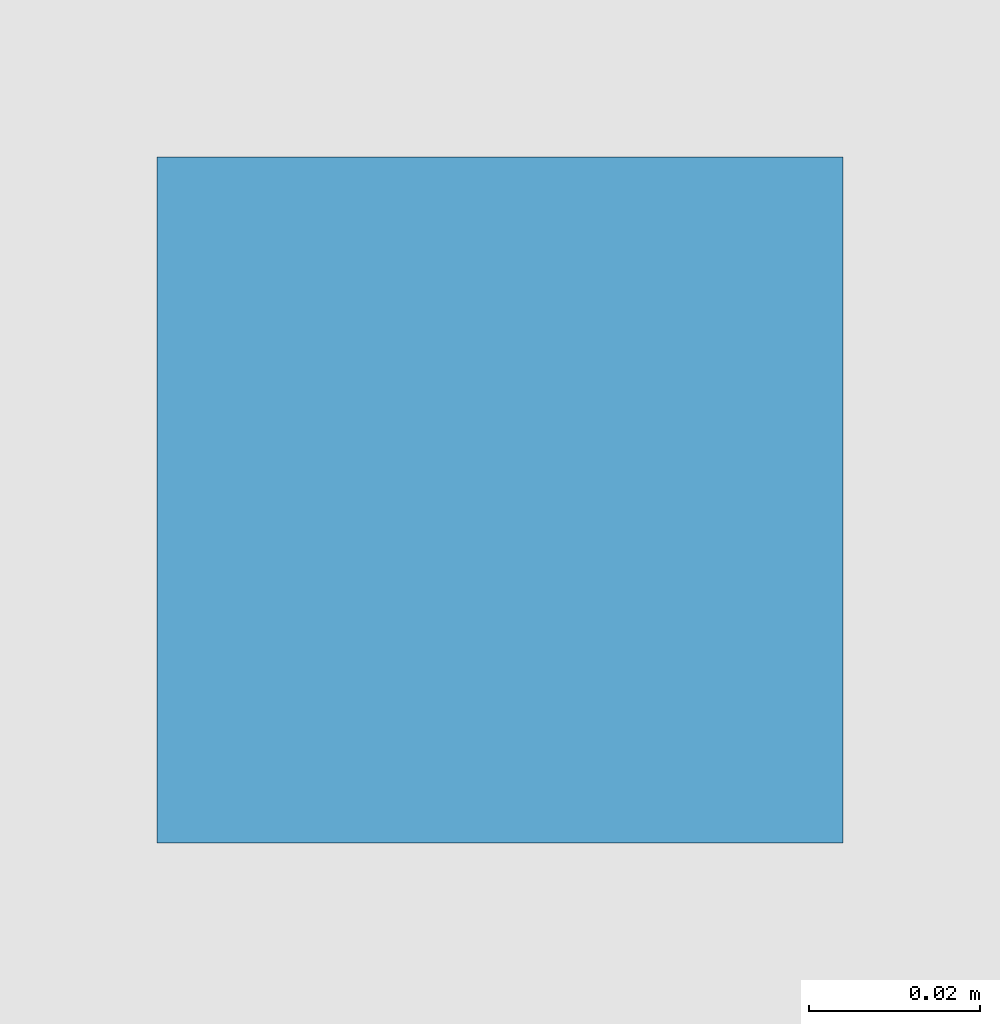
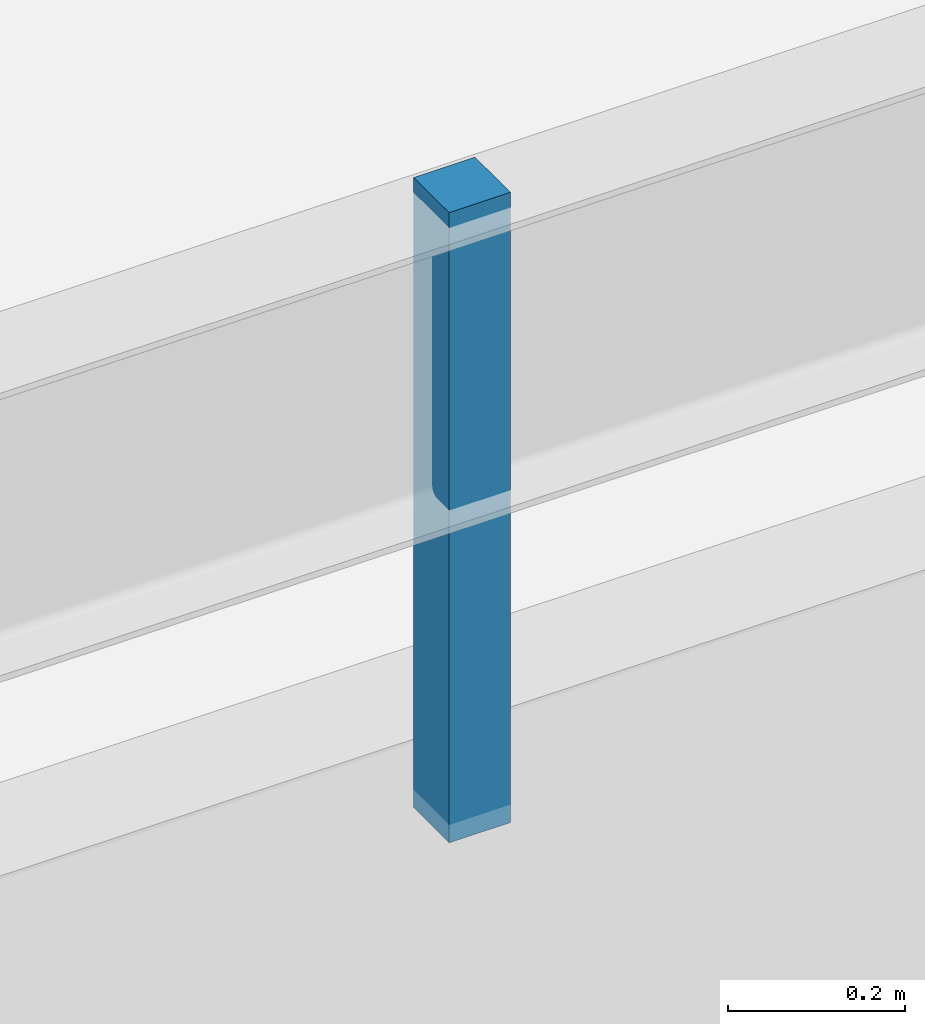
# One storey, part 63 of 75: 1 discrete accessory.
"""IFC4 building model written with IfcOpenShell, lengths in metres."""

from ifc_helpers import new_model, si_unit, direction, frame, origin, origin_2d, place, context, subcontext, project, spatial, rectangle, extrude, material, type_object, element, save


model = new_model("IFC4")

# Units and contexts
model_context = context("Model", 3, precision=1e-05, world=origin(), true_north=direction((0.0, 1.0)))
body_context = subcontext(model_context, "Body", "Model", "MODEL_VIEW")
ifc_project = project(units=[si_unit("LENGTHUNIT", "METRE"), si_unit("AREAUNIT", "SQUARE_METRE"), si_unit("VOLUMEUNIT", "CUBIC_METRE"), si_unit("PLANEANGLEUNIT", "RADIAN"), si_unit("MASSUNIT", "GRAM", prefix="KILO")], contexts=[model_context])

# Site, building, storey
site_placement = place(None, origin())
site = spatial("IfcSite", under=ifc_project, at=site_placement, CompositionType="ELEMENT")
building_placement = place(site_placement, origin())
building = spatial("IfcBuilding", under=site, at=building_placement, Name="Solmirada Galleria", CompositionType="ELEMENT")
storey_placement = place(building_placement, frame((0.0, 0.0, 19.39990234375)))
storey = spatial("IfcBuildingStorey", under=building, at=storey_placement, Name="L04", CompositionType="ELEMENT", Elevation=19.39990234375)

# Discrete accessory
ifc_material = material(Name="Steel S355 / ASTM A992 Grade 50", Category="steel")
discrete_accessory_type = type_object("IfcDiscreteAccessoryType", Name="ACC-CEIL-HANGER", PredefinedType="BRACKET", material=ifc_material)
discrete_accessory_placement = place(storey_placement, frame((52.0, 100.0, 3.449951171875), z_axis=(0.0, 0.0, 1.0), x_axis=(1.0, 0.0, 0.0)))
element("IfcDiscreteAccessory", 1, at=discrete_accessory_placement, inside=storey, type_object=discrete_accessory_type, Name="Ceiling suspension hanger L04-1", PredefinedType="BRACKET", context=body_context, shape_type="SweptSolid", body=[
    extrude(rectangle(XDim=0.080078125, YDim=0.080078125, at=origin_2d()), origin(), (0.0, 0.0, 1.0), 0.8701171875),
])

save(model, "model.ifc")
